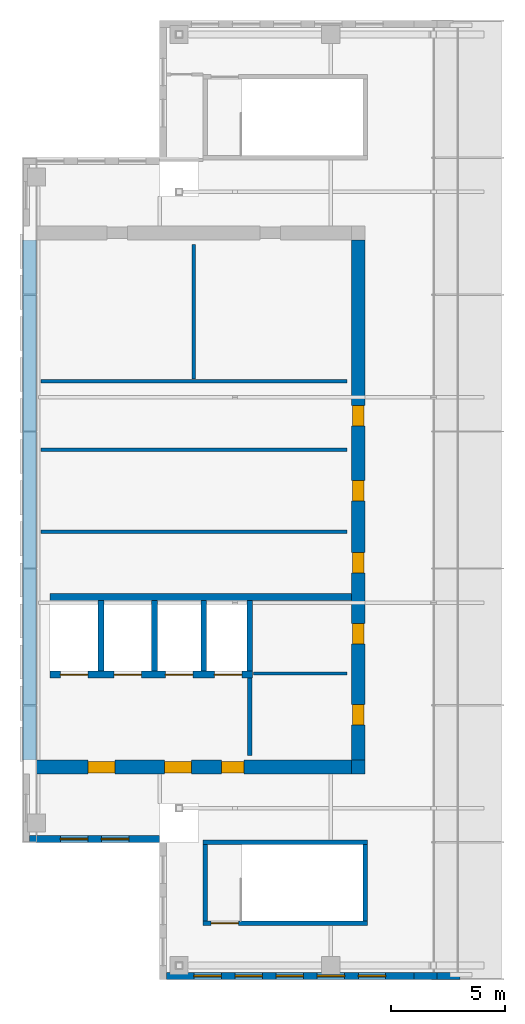
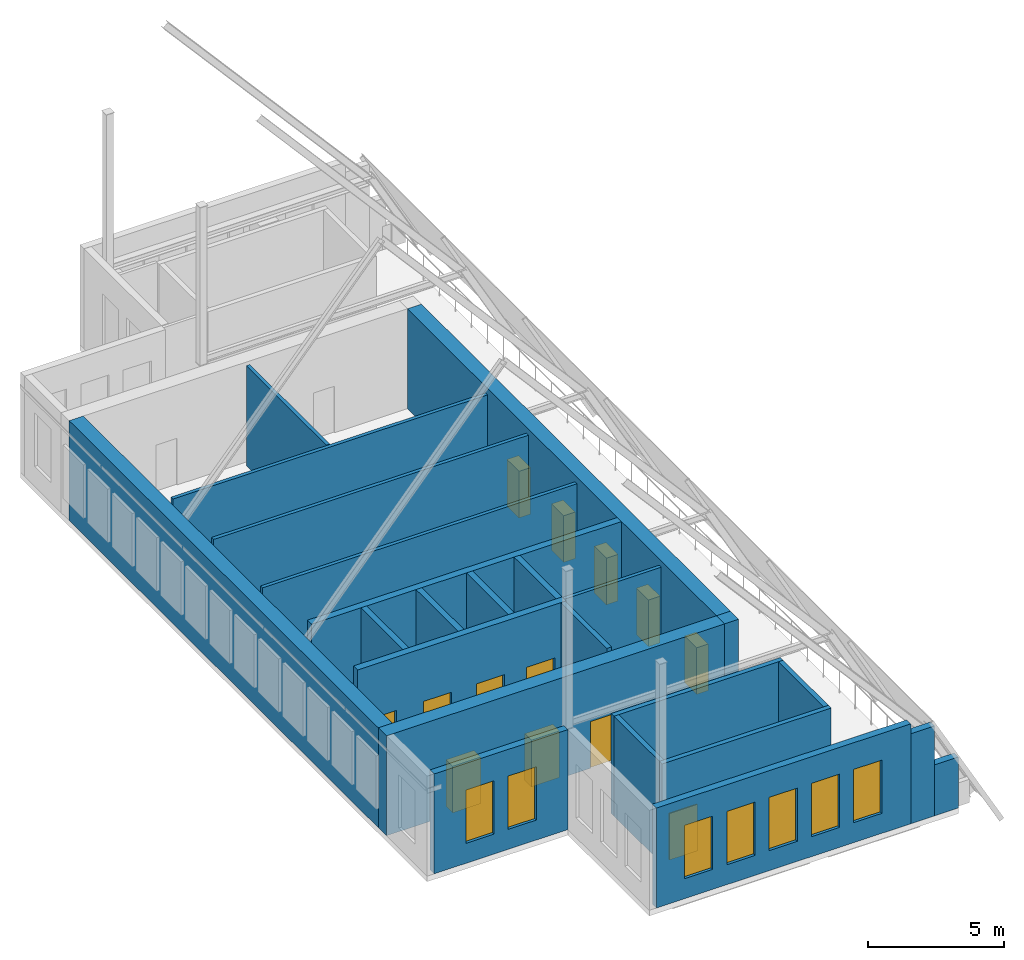
# One storey, part 2 of 4: 24 walls, 13 doors, 7 windows, 20 openings.
"""IFC4 building model written with IfcOpenShell, lengths in metres."""

from ifc_helpers import new_model, si_unit, direction, frame, frame_2d, origin, place, context, subcontext, project, spatial, rectangle, extrude, source, transform, mapped, material, layer, layer_set, type_object, element, fill, save


model = new_model("IFC4")

# Units and contexts
model_context = context("Model", 3, precision=1e-05, world=origin(), true_north=direction((0.0, 1.0)))
body_context = subcontext(model_context, "Body", "Model", "MODEL_VIEW")
ifc_project = project(units=[si_unit("LENGTHUNIT", "METRE"), si_unit("AREAUNIT", "SQUARE_METRE"), si_unit("VOLUMEUNIT", "CUBIC_METRE"), si_unit("PLANEANGLEUNIT", "RADIAN"), si_unit("MASSUNIT", "GRAM", prefix="KILO")], contexts=[model_context])

# Site, building, storey
site_placement = place(None, origin())
site = spatial("IfcSite", under=ifc_project, at=site_placement, CompositionType="ELEMENT")
building_placement = place(site_placement, origin())
building = spatial("IfcBuilding", under=site, at=building_placement, Name="Khomas Fold Tower", CompositionType="ELEMENT")
storey_placement = place(building_placement, frame((0.0, 0.0, 352.699951171875)))
storey = spatial("IfcBuildingStorey", under=building, at=storey_placement, Name="C6", CompositionType="ELEMENT", Elevation=352.699951171875)

# Wall, openings, doors
ifc_material_1 = material(Name="Concrete C50/60", Category="concrete")
ifc_layer_1 = layer(ifc_material_1, 0.60009765625)
ifc_layer_set_1 = layer_set([ifc_layer_1], Name="Concrete C50/60")
wall_type_1 = type_object("IfcWallType", Name="Core wall 600", PredefinedType="SHEAR", material=ifc_layer_set_1)
shared_shape_1 = source(origin(), body_context, "Body", "SweptSolid", [
    extrude(rectangle(XDim=14.39990234375, YDim=0.60009765625, at=frame_2d((7.199951171875, 0.0))), origin(), (0.0, 0.0, 1.0), 4.5),
])
wall_1_placement = place(storey_placement, frame((6.0, 15.300048828125, 0.0), z_axis=(0.0, 0.0, 1.0), x_axis=(1.0, 0.0, 0.0)))
wall_1 = element("IfcWall", 1, at=wall_1_placement, inside=storey, type_object=wall_type_1, Name="Core wall CW-U-S-L63", PredefinedType="SHEAR", context=body_context, shape_type="MappedRepresentation", body=[
    mapped(shared_shape_1, transform((0.0, 0.0, 0.0))),
])
shared_shape_2 = source(origin(), body_context, "Body", "SweptSolid", [
    extrude(rectangle(XDim=1.199951171875, YDim=2.10009765625, at=frame_2d((0.60009765625, 1.050048828125))), frame((0.0, 0.31005859375, 0.0), z_axis=(0.0, -1.0, 0.0), x_axis=(1.0, 0.0, 0.0)), (0.0, 0.0, 1.0), 0.6201171875),
])
opening_1_placement = place(wall_1_placement, frame((6.199951171875, 0.0, 0.0)))
opening_1 = element("IfcOpeningElement", 2, at=opening_1_placement, cuts=wall_1, Name="Opening 0009", PredefinedType="OPENING", context=body_context, shape_type="MappedRepresentation", body=[
    mapped(shared_shape_2, transform((0.0, 0.0, 0.0))),
])
opening_2_placement = place(wall_1_placement, frame((2.85009765625, 0.0, 0.0)))
opening_2 = element("IfcOpeningElement", 3, at=opening_2_placement, cuts=wall_1, Name="Opening 0009", PredefinedType="OPENING", context=body_context, shape_type="MappedRepresentation", body=[
    mapped(shared_shape_2, transform((0.0, 0.0, 0.0))),
])
shared_shape_3 = source(origin(), body_context, "Body", "SweptSolid", [
    extrude(rectangle(XDim=1.0, YDim=2.10009765625, at=frame_2d((0.5, 1.050048828125))), frame((0.0, 0.31005859375, 0.0), z_axis=(0.0, -1.0, 0.0), x_axis=(1.0, 0.0, 0.0)), (0.0, 0.0, 1.0), 0.6201171875),
])
opening_3_placement = place(wall_1_placement, frame((8.699951171875, 0.0, 0.0)))
opening_3 = element("IfcOpeningElement", 4, at=opening_3_placement, cuts=wall_1, Name="Opening 0010", PredefinedType="OPENING", context=body_context, shape_type="MappedRepresentation", body=[
    mapped(shared_shape_3, transform((0.0, 0.0, 0.0))),
])
ifc_material_2 = material(Name="Steel door leaf", Category="steel")
door_type_1 = type_object("IfcDoorType", Name="Stair door 1000x2100 right-hand", OperationType="SINGLE_SWING_RIGHT", PredefinedType="DOOR", material=ifc_material_2)
shared_shape_4 = source(origin(), body_context, "Body", "SweptSolid", [
    extrude(rectangle(XDim=1.0, YDim=2.10009765625, at=frame_2d((0.5, 1.050048828125))), frame((0.0, 0.25, 0.0), z_axis=(0.0, -1.0, 0.0), x_axis=(1.0, 0.0, 0.0)), (0.0, 0.0, 1.0), 0.5),
])
door_1_placement = place(opening_3_placement, origin())
door_1 = element("IfcDoor", 5, at=door_1_placement, inside=storey, type_object=door_type_1, Name="Stair door", OperationType="SINGLE_SWING_RIGHT", OverallHeight=2.10009765625, OverallWidth=1.0, PredefinedType="DOOR", context=body_context, shape_type="MappedRepresentation", body=[
    mapped(shared_shape_4, transform((0.0, 0.0, 0.0))),
])
fill(opening_3, door_1)
ifc_material_3 = material(Name="Steel door leaf", Category="steel")
door_type_2 = type_object("IfcDoorType", Name="Lobby door 1200x2100 right-hand", OperationType="SINGLE_SWING_RIGHT", PredefinedType="DOOR", material=ifc_material_3)
shared_shape_5 = source(origin(), body_context, "Body", "SweptSolid", [
    extrude(rectangle(XDim=1.199951171875, YDim=2.10009765625, at=frame_2d((0.60009765625, 1.050048828125))), frame((0.0, 0.25, 0.0), z_axis=(0.0, -1.0, 0.0), x_axis=(1.0, 0.0, 0.0)), (0.0, 0.0, 1.0), 0.5),
])
door_2_placement = place(opening_1_placement, origin())
door_2 = element("IfcDoor", 6, at=door_2_placement, inside=storey, type_object=door_type_2, Name="Lobby door", OperationType="SINGLE_SWING_RIGHT", OverallHeight=2.10009765625, OverallWidth=1.199951171875, PredefinedType="DOOR", context=body_context, shape_type="MappedRepresentation", body=[
    mapped(shared_shape_5, transform((0.0, 0.0, 0.0))),
])
fill(opening_1, door_2)
door_3_placement = place(opening_2_placement, origin())
door_3 = element("IfcDoor", 7, at=door_3_placement, inside=storey, type_object=door_type_2, Name="Lobby door", OperationType="SINGLE_SWING_RIGHT", OverallHeight=2.10009765625, OverallWidth=1.199951171875, PredefinedType="DOOR", context=body_context, shape_type="MappedRepresentation", body=[
    mapped(shared_shape_5, transform((0.0, 0.0, 0.0))),
])
fill(opening_2, door_3)

# Wall
ifc_material_4 = material(Name="Concrete C50/60", Category="concrete")
ifc_layer_2 = layer(ifc_material_4, 0.60009765625)
ifc_layer_set_2 = layer_set([ifc_layer_2], Name="Concrete C50/60")
wall_type_2 = type_object("IfcWallType", Name="Core corner wall 600", PredefinedType="SHEAR", material=ifc_layer_set_2)
shared_shape_6 = source(origin(), body_context, "Body", "SweptSolid", [
    extrude(rectangle(XDim=0.60009765625, YDim=0.60009765625, at=frame_2d((0.300048828125, 0.0))), origin(), (0.0, 0.0, 1.0), 4.5),
])
wall_2_placement = place(storey_placement, frame((20.39990234375, 15.300048828125, 0.0), z_axis=(0.0, 0.0, 1.0), x_axis=(1.0, 0.0, 0.0)))
element("IfcWall", 8, at=wall_2_placement, inside=storey, type_object=wall_type_2, Name="Core wall CW-U-SE-L63", PredefinedType="SHEAR", context=body_context, shape_type="MappedRepresentation", body=[
    mapped(shared_shape_6, transform((0.0, 0.0, 0.0))),
])

# Wall, openings, doors
shared_shape_7 = source(origin(), body_context, "Body", "SweptSolid", [
    extrude(rectangle(XDim=22.7998046875, YDim=0.60009765625, at=frame_2d((11.39990234375, 0.0))), origin(), (0.0, 0.0, 1.0), 4.5),
])
wall_3_placement = place(storey_placement, frame((20.699951171875, 15.60009765625, 0.0), z_axis=(0.0, 0.0, 1.0), x_axis=(0.0, 1.0, 0.0)))
wall_3 = element("IfcWall", 9, at=wall_3_placement, inside=storey, type_object=wall_type_1, Name="Core wall CW-U-E-L63", PredefinedType="SHEAR", context=body_context, shape_type="MappedRepresentation", body=[
    mapped(shared_shape_7, transform((0.0, 0.0, 0.0))),
])
shared_shape_8 = source(origin(), body_context, "Body", "SweptSolid", [
    extrude(rectangle(XDim=0.89990234375, YDim=2.10009765625, at=frame_2d((0.449951171875, 1.050048828125))), frame((0.0, 0.31005859375, 0.0), z_axis=(0.0, -1.0, 0.0), x_axis=(1.0, 0.0, 0.0)), (0.0, 0.0, 1.0), 0.6201171875),
])
opening_4_placement = place(wall_3_placement, frame((8.199951171875, 0.0, 0.0)))
opening_4 = element("IfcOpeningElement", 10, at=opening_4_placement, cuts=wall_3, Name="Opening 0003", PredefinedType="OPENING", context=body_context, shape_type="MappedRepresentation", body=[
    mapped(shared_shape_8, transform((0.0, 0.0, 0.0))),
])
opening_5_placement = place(wall_3_placement, frame((11.35009765625, 0.0, 0.0)))
opening_5 = element("IfcOpeningElement", 11, at=opening_5_placement, cuts=wall_3, Name="Opening 0003", PredefinedType="OPENING", context=body_context, shape_type="MappedRepresentation", body=[
    mapped(shared_shape_8, transform((0.0, 0.0, 0.0))),
])
opening_6_placement = place(wall_3_placement, frame((14.64990234375, 0.0, 0.0)))
opening_6 = element("IfcOpeningElement", 12, at=opening_6_placement, cuts=wall_3, Name="Opening 0003", PredefinedType="OPENING", context=body_context, shape_type="MappedRepresentation", body=[
    mapped(shared_shape_8, transform((0.0, 0.0, 0.0))),
])
opening_7_placement = place(wall_3_placement, frame((1.550048828125, 0.0, 0.0)))
opening_7 = element("IfcOpeningElement", 13, at=opening_7_placement, cuts=wall_3, Name="Opening 0004", PredefinedType="OPENING", context=body_context, shape_type="MappedRepresentation", body=[
    mapped(shared_shape_8, transform((0.0, 0.0, 0.0))),
])
opening_8_placement = place(wall_3_placement, frame((5.10009765625, 0.0, 0.0)))
opening_8 = element("IfcOpeningElement", 14, at=opening_8_placement, cuts=wall_3, Name="Opening 0003", PredefinedType="OPENING", context=body_context, shape_type="MappedRepresentation", body=[
    mapped(shared_shape_8, transform((0.0, 0.0, 0.0))),
])
ifc_material_5 = material(Name="Steel door leaf", Category="steel")
door_type_3 = type_object("IfcDoorType", Name="Plant room door 900x2100 right-hand", OperationType="SINGLE_SWING_RIGHT", PredefinedType="DOOR", material=ifc_material_5)
shared_shape_9 = source(origin(), body_context, "Body", "SweptSolid", [
    extrude(rectangle(XDim=0.89990234375, YDim=2.10009765625, at=frame_2d((0.449951171875, 1.050048828125))), frame((0.0, 0.25, 0.0), z_axis=(0.0, -1.0, 0.0), x_axis=(1.0, 0.0, 0.0)), (0.0, 0.0, 1.0), 0.5),
])
door_4_placement = place(opening_4_placement, origin())
door_4 = element("IfcDoor", 15, at=door_4_placement, inside=storey, type_object=door_type_3, Name="Plant room door", OperationType="SINGLE_SWING_RIGHT", OverallHeight=2.10009765625, OverallWidth=0.89990234375, PredefinedType="DOOR", context=body_context, shape_type="MappedRepresentation", body=[
    mapped(shared_shape_9, transform((0.0, 0.0, 0.0))),
])
fill(opening_4, door_4)
door_5_placement = place(opening_5_placement, origin())
door_5 = element("IfcDoor", 16, at=door_5_placement, inside=storey, type_object=door_type_3, Name="Plant room door", OperationType="SINGLE_SWING_RIGHT", OverallHeight=2.10009765625, OverallWidth=0.89990234375, PredefinedType="DOOR", context=body_context, shape_type="MappedRepresentation", body=[
    mapped(shared_shape_9, transform((0.0, 0.0, 0.0))),
])
fill(opening_5, door_5)
door_6_placement = place(opening_6_placement, origin())
door_6 = element("IfcDoor", 17, at=door_6_placement, inside=storey, type_object=door_type_3, Name="Plant room door", OperationType="SINGLE_SWING_RIGHT", OverallHeight=2.10009765625, OverallWidth=0.89990234375, PredefinedType="DOOR", context=body_context, shape_type="MappedRepresentation", body=[
    mapped(shared_shape_9, transform((0.0, 0.0, 0.0))),
])
fill(opening_6, door_6)
ifc_material_6 = material(Name="Timber door leaf", Category="wood")
door_type_4 = type_object("IfcDoorType", Name="WC door 900x2100 right-hand", OperationType="SINGLE_SWING_RIGHT", PredefinedType="DOOR", material=ifc_material_6)
door_7_placement = place(opening_7_placement, origin())
door_7 = element("IfcDoor", 18, at=door_7_placement, inside=storey, type_object=door_type_4, Name="WC door", OperationType="SINGLE_SWING_RIGHT", OverallHeight=2.10009765625, OverallWidth=0.89990234375, PredefinedType="DOOR", context=body_context, shape_type="MappedRepresentation", body=[
    mapped(shared_shape_9, transform((0.0, 0.0, 0.0))),
])
fill(opening_7, door_7)
door_8_placement = place(opening_8_placement, origin())
door_8 = element("IfcDoor", 19, at=door_8_placement, inside=storey, type_object=door_type_3, Name="Plant room door", OperationType="SINGLE_SWING_RIGHT", OverallHeight=2.10009765625, OverallWidth=0.89990234375, PredefinedType="DOOR", context=body_context, shape_type="MappedRepresentation", body=[
    mapped(shared_shape_9, transform((0.0, 0.0, 0.0))),
])
fill(opening_8, door_8)

# Walls
wall_4_placement = place(storey_placement, frame((6.300048828125, 15.60009765625, 0.0), z_axis=(0.0, 0.0, 1.0), x_axis=(0.0, 1.0, 0.0)))
element("IfcWall", 20, at=wall_4_placement, inside=storey, type_object=wall_type_1, Name="Core wall CW-U-W-L63", PredefinedType="SHEAR", context=body_context, shape_type="MappedRepresentation", body=[
    mapped(shared_shape_7, transform((0.0, 0.0, 0.0))),
])
ifc_material_7 = material(Name="Concrete C50/60", Category="concrete")
ifc_layer_3 = layer(ifc_material_7, 0.199951171875)
ifc_layer_set_3 = layer_set([ifc_layer_3], Name="Concrete C50/60")
wall_type_3 = type_object("IfcWallType", Name="Stair wall 200", PredefinedType="SHEAR", material=ifc_layer_set_3)
shared_shape_10 = source(origin(), body_context, "Body", "SweptSolid", [
    extrude(rectangle(XDim=7.2001953125, YDim=0.199951171875, at=frame_2d((3.60009765625, 0.0))), origin(), (0.0, 0.0, 1.0), 4.5),
])
wall_5_placement = place(storey_placement, frame((13.89990234375, 12.0, 0.0), z_axis=(0.0, 0.0, 1.0), x_axis=(1.0, 0.0, 0.0)))
element("IfcWall", 21, at=wall_5_placement, inside=storey, type_object=wall_type_3, Name="Stair wall SW-ST2-NH", PredefinedType="SHEAR", context=body_context, shape_type="MappedRepresentation", body=[
    mapped(shared_shape_10, transform((0.0, 0.0, 0.0))),
])

# Wall, opening, door
wall_6_placement = place(storey_placement, frame((13.89990234375, 8.449951171875, 0.0), z_axis=(0.0, 0.0, 1.0), x_axis=(1.0, 0.0, 0.0)))
wall_6 = element("IfcWall", 22, at=wall_6_placement, inside=storey, type_object=wall_type_3, Name="Stair wall SW-ST2-S", PredefinedType="SHEAR", context=body_context, shape_type="MappedRepresentation", body=[
    mapped(shared_shape_10, transform((0.0, 0.0, 0.0))),
])
shared_shape_11 = source(origin(), body_context, "Body", "SweptSolid", [
    extrude(rectangle(XDim=1.199951171875, YDim=2.10009765625, at=frame_2d((0.60009765625, 1.050048828125))), frame((0.0, 0.10986328125, 0.0), z_axis=(0.0, -1.0, 0.0), x_axis=(1.0, 0.0, 0.0)), (0.0, 0.0, 1.0), 0.219970703125),
])
opening_9_placement = place(wall_6_placement, frame((0.35009765625, 0.0, 0.0)))
opening_9 = element("IfcOpeningElement", 23, at=opening_9_placement, cuts=wall_6, Name="Opening SD-ST2", PredefinedType="OPENING", context=body_context, shape_type="MappedRepresentation", body=[
    mapped(shared_shape_11, transform((0.0, 0.0, 0.0))),
])
ifc_material_8 = material(Name="Steel door leaf", Category="steel")
door_type_5 = type_object("IfcDoorType", Name="Stair door 1200x2100 right-hand", OperationType="SINGLE_SWING_RIGHT", PredefinedType="DOOR", material=ifc_material_8)
shared_shape_12 = source(origin(), body_context, "Body", "SweptSolid", [
    extrude(rectangle(XDim=1.199951171875, YDim=2.10009765625, at=frame_2d((0.60009765625, 1.050048828125))), frame((0.0, 0.02490234375, 0.0), z_axis=(0.0, -1.0, 0.0), x_axis=(1.0, 0.0, 0.0)), (0.0, 0.0, 1.0), 0.050048828125),
])
door_9_placement = place(opening_9_placement, origin())
door_9 = element("IfcDoor", 24, at=door_9_placement, inside=storey, type_object=door_type_5, Name="Stair door", OperationType="SINGLE_SWING_RIGHT", OverallHeight=2.10009765625, OverallWidth=1.199951171875, PredefinedType="DOOR", context=body_context, shape_type="MappedRepresentation", body=[
    mapped(shared_shape_12, transform((0.0, 0.0, 0.0))),
])
fill(opening_9, door_9)

# Walls
shared_shape_13 = source(origin(), body_context, "Body", "SweptSolid", [
    extrude(rectangle(XDim=3.349853515625, YDim=0.199951171875, at=frame_2d((1.6748046875, 0.0))), origin(), (0.0, 0.0, 1.0), 4.5),
])
for number, where, z_axis, x_axis, name in (
    (25, (21.0, 8.550048828125, 0.0), (0.0, 0.0, 1.0), (0.0, 1.0, 0.0), "Stair wall SW-ST2-E"),
    (26, (14.0, 8.550048828125, 0.0), (0.0, 0.0, 1.0), (0.0, 1.0, 0.0), "Stair wall SW-ST2-W"),
):
    element("IfcWall", number, at=place(storey_placement, frame(where, z_axis=z_axis, x_axis=x_axis)), inside=storey, type_object=wall_type_3, Name=name, PredefinedType="SHEAR", context=body_context, shape_type="MappedRepresentation", body=[
        mapped(shared_shape_13, transform((0.0, 0.0, 0.0))),
    ])
ifc_material_9 = material(Name="Concrete C50/60", Category="concrete")
ifc_layer_4 = layer(ifc_material_9, 0.300048828125)
ifc_layer_set_4 = layer_set([ifc_layer_4], Name="Concrete C50/60")
wall_type_4 = type_object("IfcWallType", Name="Shaft wall 300", PredefinedType="STANDARD", material=ifc_layer_set_4)
shared_shape_14 = source(origin(), body_context, "Body", "SweptSolid", [
    extrude(rectangle(XDim=13.199951171875, YDim=0.300048828125, at=frame_2d((6.60009765625, 0.0))), origin(), (0.0, 0.0, 1.0), 4.5),
])
wall_7_placement = place(storey_placement, frame((7.199951171875, 22.75, 0.0), z_axis=(0.0, 0.0, 1.0), x_axis=(1.0, 0.0, 0.0)))
element("IfcWall", 27, at=wall_7_placement, inside=storey, type_object=wall_type_4, Name="Core wall SW-FS-B", PredefinedType="STANDARD", context=body_context, shape_type="MappedRepresentation", body=[
    mapped(shared_shape_14, transform((0.0, 0.0, 0.0))),
])

# Wall, openings, doors
shared_shape_15 = source(origin(), body_context, "Body", "SweptSolid", [
    extrude(rectangle(XDim=8.875, YDim=0.300048828125, at=frame_2d((4.4375, 0.0))), origin(), (0.0, 0.0, 1.0), 4.5),
])
wall_8_placement = place(storey_placement, frame((7.199951171875, 19.35009765625, 0.0), z_axis=(0.0, 0.0, 1.0), x_axis=(1.0, 0.0, 0.0)))
wall_8 = element("IfcWall", 28, at=wall_8_placement, inside=storey, type_object=wall_type_4, Name="Core wall SW-FS-F", PredefinedType="STANDARD", context=body_context, shape_type="MappedRepresentation", body=[
    mapped(shared_shape_15, transform((0.0, 0.0, 0.0))),
])
shared_shape_16 = source(origin(), body_context, "Body", "SweptSolid", [
    extrude(rectangle(XDim=1.199951171875, YDim=2.10009765625, at=frame_2d((0.60009765625, 1.050048828125))), frame((0.0, 0.159912109375, 0.0), z_axis=(0.0, -1.0, 0.0), x_axis=(1.0, 0.0, 0.0)), (0.0, 0.0, 1.0), 0.320068359375),
])
opening_10_placement = place(wall_8_placement, frame((0.449951171875, 0.0, 0.0)))
opening_10 = element("IfcOpeningElement", 29, at=opening_10_placement, cuts=wall_8, Name="Opening LD-SV1", PredefinedType="OPENING", context=body_context, shape_type="MappedRepresentation", body=[
    mapped(shared_shape_16, transform((0.0, 0.0, 0.0))),
])
opening_11_placement = place(wall_8_placement, frame((2.800048828125, 0.0, 0.0)))
opening_11 = element("IfcOpeningElement", 30, at=opening_11_placement, cuts=wall_8, Name="Opening LD-SV2", PredefinedType="OPENING", context=body_context, shape_type="MappedRepresentation", body=[
    mapped(shared_shape_16, transform((0.0, 0.0, 0.0))),
])
opening_12_placement = place(wall_8_placement, frame((5.050048828125, 0.0, 0.0)))
opening_12 = element("IfcOpeningElement", 31, at=opening_12_placement, cuts=wall_8, Name="Opening LD-FF1", PredefinedType="OPENING", context=body_context, shape_type="MappedRepresentation", body=[
    mapped(shared_shape_16, transform((0.0, 0.0, 0.0))),
])
opening_13_placement = place(wall_8_placement, frame((7.199951171875, 0.0, 0.0)))
opening_13 = element("IfcOpeningElement", 32, at=opening_13_placement, cuts=wall_8, Name="Opening LD-FF2", PredefinedType="OPENING", context=body_context, shape_type="MappedRepresentation", body=[
    mapped(shared_shape_16, transform((0.0, 0.0, 0.0))),
])
ifc_material_10 = material(Name="Steel door leaf", Category="steel")
door_type_6 = type_object("IfcDoorType", Name="Landing door 1200x2100", OperationType="DOUBLE_DOOR_SLIDING", PredefinedType="DOOR", material=ifc_material_10)
door_10_placement = place(opening_10_placement, origin())
door_10 = element("IfcDoor", 33, at=door_10_placement, inside=storey, type_object=door_type_6, Name="Lift landing door", OperationType="DOUBLE_DOOR_SLIDING", OverallHeight=2.10009765625, OverallWidth=1.199951171875, PredefinedType="DOOR", context=body_context, shape_type="MappedRepresentation", body=[
    mapped(shared_shape_12, transform((0.0, 0.0, 0.0))),
])
fill(opening_10, door_10)
door_11_placement = place(opening_11_placement, origin())
door_11 = element("IfcDoor", 34, at=door_11_placement, inside=storey, type_object=door_type_6, Name="Lift landing door", OperationType="DOUBLE_DOOR_SLIDING", OverallHeight=2.10009765625, OverallWidth=1.199951171875, PredefinedType="DOOR", context=body_context, shape_type="MappedRepresentation", body=[
    mapped(shared_shape_12, transform((0.0, 0.0, 0.0))),
])
fill(opening_11, door_11)
door_12_placement = place(opening_12_placement, origin())
door_12 = element("IfcDoor", 35, at=door_12_placement, inside=storey, type_object=door_type_6, Name="Lift landing door", OperationType="DOUBLE_DOOR_SLIDING", OverallHeight=2.10009765625, OverallWidth=1.199951171875, PredefinedType="DOOR", context=body_context, shape_type="MappedRepresentation", body=[
    mapped(shared_shape_12, transform((0.0, 0.0, 0.0))),
])
fill(opening_12, door_12)
door_13_placement = place(opening_13_placement, origin())
door_13 = element("IfcDoor", 36, at=door_13_placement, inside=storey, type_object=door_type_6, Name="Lift landing door", OperationType="DOUBLE_DOOR_SLIDING", OverallHeight=2.10009765625, OverallWidth=1.199951171875, PredefinedType="DOOR", context=body_context, shape_type="MappedRepresentation", body=[
    mapped(shared_shape_12, transform((0.0, 0.0, 0.0))),
])
fill(opening_13, door_13)

# Walls
ifc_material_11 = material(Name="Concrete C50/60", Category="concrete")
ifc_layer_5 = layer(ifc_material_11, 0.25)
ifc_layer_set_5 = layer_set([ifc_layer_5], Name="Concrete C50/60")
wall_type_5 = type_object("IfcWallType", Name="Shaft wall 250", PredefinedType="STANDARD", material=ifc_layer_set_5)
shared_shape_17 = source(origin(), body_context, "Body", "SweptSolid", [
    extrude(rectangle(XDim=3.10009765625, YDim=0.25, at=frame_2d((1.550048828125, 0.0))), origin(), (0.0, 0.0, 1.0), 4.5),
])
for number, where, z_axis, x_axis, name in (
    (37, (9.425048828125, 19.5, 0.0), (0.0, 0.0, 1.0), (0.0, 1.0, 0.0), "Core wall SW-FS-P1"),
    (38, (11.77490234375, 19.5, 0.0), (0.0, 0.0, 1.0), (0.0, 1.0, 0.0), "Core wall SW-FS-P2"),
    (39, (13.925048828125, 19.5, 0.0), (0.0, 0.0, 1.0), (0.0, 1.0, 0.0), "Core wall SW-FS-P3"),
    (40, (15.949951171875, 19.5, 0.0), (0.0, 0.0, 1.0), (0.0, 1.0, 0.0), "Core wall SW-FS-PE"),
):
    element("IfcWall", number, at=place(storey_placement, frame(where, z_axis=z_axis, x_axis=x_axis)), inside=storey, type_object=wall_type_5, Name=name, PredefinedType="STANDARD", context=body_context, shape_type="MappedRepresentation", body=[
        mapped(shared_shape_17, transform((0.0, 0.0, 0.0))),
    ])

# Wall, openings, windows
ifc_material_12 = material(Name="Concrete C40/50", Category="concrete")
ifc_layer_6 = layer(ifc_material_12, 0.300048828125)
ifc_layer_set_6 = layer_set([ifc_layer_6], Name="Concrete C40/50")
wall_type_6 = type_object("IfcWallType", Name="Crown gable wall 300 CR-GW1", PredefinedType="SOLIDWALL", material=ifc_layer_set_6)
shared_shape_18 = source(origin(), body_context, "Body", "SweptSolid", [
    extrude(rectangle(XDim=5.699951171875, YDim=0.300048828125, at=frame_2d((2.85009765625, 0.0))), origin(), (0.0, 0.0, 1.0), 4.5),
])
wall_9_placement = place(storey_placement, frame((6.300048828125, 12.14990234375, 0.0), z_axis=(0.0, 0.0, 1.0), x_axis=(1.0, 0.0, 0.0)))
wall_9 = element("IfcWall", 41, at=wall_9_placement, inside=storey, type_object=wall_type_6, Name="Crown wall", PredefinedType="SOLIDWALL", context=body_context, shape_type="MappedRepresentation", body=[
    mapped(shared_shape_18, transform((0.0, 0.0, 0.0))),
])
shared_shape_19 = source(origin(), body_context, "Body", "SweptSolid", [
    extrude(rectangle(XDim=1.199951171875, YDim=2.39990234375, at=frame_2d((0.60009765625, 1.199951171875))), frame((0.0, 0.159912109375, 0.0), z_axis=(0.0, -1.0, 0.0), x_axis=(1.0, 0.0, 0.0)), (0.0, 0.0, 1.0), 0.320068359375),
])
opening_14_placement = place(wall_9_placement, frame((1.35009765625, 0.0, 0.89990234375)))
opening_14 = element("IfcOpeningElement", 42, at=opening_14_placement, cuts=wall_9, Name="Opening CR-LV", PredefinedType="OPENING", context=body_context, shape_type="MappedRepresentation", body=[
    mapped(shared_shape_19, transform((0.0, 0.0, 0.0))),
])
opening_15_placement = place(wall_9_placement, frame((3.14990234375, 0.0, 0.89990234375)))
opening_15 = element("IfcOpeningElement", 43, at=opening_15_placement, cuts=wall_9, Name="Opening CR-LV", PredefinedType="OPENING", context=body_context, shape_type="MappedRepresentation", body=[
    mapped(shared_shape_19, transform((0.0, 0.0, 0.0))),
])
ifc_material_13 = material(Name="Aluminium louvre", Category="aluminium")
window_type = type_object("IfcWindowType", Name="Crown plant louvre 1200 x 2400", PartitioningType="SINGLE_PANEL", PredefinedType="WINDOW", material=ifc_material_13)
shared_shape_20 = source(origin(), body_context, "Body", "SweptSolid", [
    extrude(rectangle(XDim=1.199951171875, YDim=2.39990234375, at=frame_2d((0.60009765625, 1.199951171875))), frame((0.0, 0.030029296875, 0.0), z_axis=(0.0, -1.0, 0.0), x_axis=(1.0, 0.0, 0.0)), (0.0, 0.0, 1.0), 0.06005859375),
])
window_1_placement = place(opening_14_placement, origin())
window_1 = element("IfcWindow", 44, at=window_1_placement, inside=storey, type_object=window_type, Name="Crown plant louvre", OverallHeight=2.39990234375, OverallWidth=1.199951171875, PartitioningType="SINGLE_PANEL", PredefinedType="WINDOW", context=body_context, shape_type="MappedRepresentation", body=[
    mapped(shared_shape_20, transform((0.0, 0.0, 0.0))),
])
fill(opening_14, window_1)
window_2_placement = place(opening_15_placement, origin())
window_2 = element("IfcWindow", 45, at=window_2_placement, inside=storey, type_object=window_type, Name="Crown plant louvre", OverallHeight=2.39990234375, OverallWidth=1.199951171875, PartitioningType="SINGLE_PANEL", PredefinedType="WINDOW", context=body_context, shape_type="MappedRepresentation", body=[
    mapped(shared_shape_20, transform((0.0, 0.0, 0.0))),
])
fill(opening_15, window_2)

shared_shape_21 = source(origin(), body_context, "Body", "SweptSolid", [
    extrude(rectangle(XDim=10.83642578125, YDim=0.300048828125, at=frame_2d((5.418212890625, 0.0))), origin(), (0.0, 0.0, 1.0), 4.5),
])
wall_10_placement = place(storey_placement, frame((12.300048828125, 6.14990234375, 0.0), z_axis=(0.0, 0.0, 1.0), x_axis=(1.0, 0.0, 0.0)))
wall_10 = element("IfcWall", 46, at=wall_10_placement, inside=storey, type_object=wall_type_6, Name="Crown wall", PredefinedType="SOLIDWALL", context=body_context, shape_type="MappedRepresentation", body=[
    mapped(shared_shape_21, transform((0.0, 0.0, 0.0))),
])
opening_16_placement = place(wall_10_placement, frame((1.199951171875, 0.0, 0.89990234375)))
opening_16 = element("IfcOpeningElement", 47, at=opening_16_placement, cuts=wall_10, Name="Opening CR-LV", PredefinedType="OPENING", context=body_context, shape_type="MappedRepresentation", body=[
    mapped(shared_shape_19, transform((0.0, 0.0, 0.0))),
])
opening_17_placement = place(wall_10_placement, frame((3.0, 0.0, 0.89990234375)))
opening_17 = element("IfcOpeningElement", 48, at=opening_17_placement, cuts=wall_10, Name="Opening CR-LV", PredefinedType="OPENING", context=body_context, shape_type="MappedRepresentation", body=[
    mapped(shared_shape_19, transform((0.0, 0.0, 0.0))),
])
opening_18_placement = place(wall_10_placement, frame((4.800048828125, 0.0, 0.89990234375)))
opening_18 = element("IfcOpeningElement", 49, at=opening_18_placement, cuts=wall_10, Name="Opening CR-LV", PredefinedType="OPENING", context=body_context, shape_type="MappedRepresentation", body=[
    mapped(shared_shape_19, transform((0.0, 0.0, 0.0))),
])
opening_19_placement = place(wall_10_placement, frame((6.60009765625, 0.0, 0.89990234375)))
opening_19 = element("IfcOpeningElement", 50, at=opening_19_placement, cuts=wall_10, Name="Opening CR-LV", PredefinedType="OPENING", context=body_context, shape_type="MappedRepresentation", body=[
    mapped(shared_shape_19, transform((0.0, 0.0, 0.0))),
])
opening_20_placement = place(wall_10_placement, frame((8.39990234375, 0.0, 0.89990234375)))
opening_20 = element("IfcOpeningElement", 51, at=opening_20_placement, cuts=wall_10, Name="Opening CR-LV", PredefinedType="OPENING", context=body_context, shape_type="MappedRepresentation", body=[
    mapped(shared_shape_19, transform((0.0, 0.0, 0.0))),
])
window_3_placement = place(opening_16_placement, origin())
window_3 = element("IfcWindow", 52, at=window_3_placement, inside=storey, type_object=window_type, Name="Crown plant louvre", OverallHeight=2.39990234375, OverallWidth=1.199951171875, PartitioningType="SINGLE_PANEL", PredefinedType="WINDOW", context=body_context, shape_type="MappedRepresentation", body=[
    mapped(shared_shape_20, transform((0.0, 0.0, 0.0))),
])
fill(opening_16, window_3)
window_4_placement = place(opening_17_placement, origin())
window_4 = element("IfcWindow", 53, at=window_4_placement, inside=storey, type_object=window_type, Name="Crown plant louvre", OverallHeight=2.39990234375, OverallWidth=1.199951171875, PartitioningType="SINGLE_PANEL", PredefinedType="WINDOW", context=body_context, shape_type="MappedRepresentation", body=[
    mapped(shared_shape_20, transform((0.0, 0.0, 0.0))),
])
fill(opening_17, window_4)
window_5_placement = place(opening_18_placement, origin())
window_5 = element("IfcWindow", 54, at=window_5_placement, inside=storey, type_object=window_type, Name="Crown plant louvre", OverallHeight=2.39990234375, OverallWidth=1.199951171875, PartitioningType="SINGLE_PANEL", PredefinedType="WINDOW", context=body_context, shape_type="MappedRepresentation", body=[
    mapped(shared_shape_20, transform((0.0, 0.0, 0.0))),
])
fill(opening_18, window_5)
window_6_placement = place(opening_19_placement, origin())
window_6 = element("IfcWindow", 55, at=window_6_placement, inside=storey, type_object=window_type, Name="Crown plant louvre", OverallHeight=2.39990234375, OverallWidth=1.199951171875, PartitioningType="SINGLE_PANEL", PredefinedType="WINDOW", context=body_context, shape_type="MappedRepresentation", body=[
    mapped(shared_shape_20, transform((0.0, 0.0, 0.0))),
])
fill(opening_19, window_6)
window_7_placement = place(opening_20_placement, origin())
window_7 = element("IfcWindow", 56, at=window_7_placement, inside=storey, type_object=window_type, Name="Crown plant louvre", OverallHeight=2.39990234375, OverallWidth=1.199951171875, PartitioningType="SINGLE_PANEL", PredefinedType="WINDOW", context=body_context, shape_type="MappedRepresentation", body=[
    mapped(shared_shape_20, transform((0.0, 0.0, 0.0))),
])
fill(opening_20, window_7)

# Walls
ifc_material_14 = material(Name="Concrete C40/50", Category="concrete")
ifc_layer_7 = layer(ifc_material_14, 0.300048828125)
ifc_layer_set_7 = layer_set([ifc_layer_7], Name="Concrete C40/50")
wall_type_7 = type_object("IfcWallType", Name="Crown gable wall 300 CR-GW2", PredefinedType="SOLIDWALL", material=ifc_layer_set_7)
shared_shape_22 = source(origin(), body_context, "Body", "SweptSolid", [
    extrude(rectangle(XDim=1.012451171875, YDim=0.300048828125, at=frame_2d((0.50634765625, 0.0))), origin(), (0.0, 0.0, 1.0), 4.050048828125),
])
wall_11_placement = place(storey_placement, frame((23.136474609375, 6.14990234375, 0.0), z_axis=(0.0, 0.0, 1.0), x_axis=(1.0, 0.0, 0.0)))
element("IfcWall", 57, at=wall_11_placement, inside=storey, type_object=wall_type_7, Name="Crown wall", PredefinedType="SOLIDWALL", context=body_context, shape_type="MappedRepresentation", body=[
    mapped(shared_shape_22, transform((0.0, 0.0, 0.0))),
])
ifc_material_15 = material(Name="Concrete C40/50", Category="concrete")
ifc_layer_8 = layer(ifc_material_15, 0.300048828125)
ifc_layer_set_8 = layer_set([ifc_layer_8], Name="Concrete C40/50")
wall_type_8 = type_object("IfcWallType", Name="Crown gable wall 300 CR-GW3", PredefinedType="SOLIDWALL", material=ifc_layer_set_8)
shared_shape_23 = source(origin(), body_context, "Body", "SweptSolid", [
    extrude(rectangle(XDim=1.012451171875, YDim=0.300048828125, at=frame_2d((0.50634765625, 0.0))), origin(), (0.0, 0.0, 1.0), 2.300048828125),
])
wall_12_placement = place(storey_placement, frame((24.14892578125, 6.14990234375, 0.0), z_axis=(0.0, 0.0, 1.0), x_axis=(1.0, 0.0, 0.0)))
element("IfcWall", 58, at=wall_12_placement, inside=storey, type_object=wall_type_8, Name="Crown wall", PredefinedType="SOLIDWALL", context=body_context, shape_type="MappedRepresentation", body=[
    mapped(shared_shape_23, transform((0.0, 0.0, 0.0))),
])
ifc_material_16 = material(Name="Concrete C30/37", Category="concrete")
ifc_layer_9 = layer(ifc_material_16, 0.199951171875)
ifc_layer_set_9 = layer_set([ifc_layer_9], Name="Concrete C30/37")
wall_type_9 = type_object("IfcWallType", Name="Lobby wall PW4 200", PredefinedType="PARTITIONING", material=ifc_layer_set_9)
shared_shape_24 = source(origin(), body_context, "Body", "SweptSolid", [
    extrude(rectangle(XDim=3.39990234375, YDim=0.199951171875, at=frame_2d((1.699951171875, 0.0))), origin(), (0.0, 0.0, 1.0), 4.5),
])
wall_13_placement = place(storey_placement, frame((15.949951171875, 15.800048828125, 0.0), z_axis=(0.0, 0.0, 1.0), x_axis=(0.0, 1.0, 0.0)))
element("IfcWall", 59, at=wall_13_placement, inside=storey, type_object=wall_type_9, Name="Lobby wall", PredefinedType="PARTITIONING", context=body_context, shape_type="MappedRepresentation", body=[
    mapped(shared_shape_24, transform((0.0, 0.0, 0.0))),
])
ifc_material_17 = material(Name="Plasterboard fire partition")
ifc_layer_10 = layer(ifc_material_17, 0.14990234375)
ifc_layer_set_10 = layer_set([ifc_layer_10], Name="Plasterboard fire partition")
wall_type_10 = type_object("IfcWallType", Name="Plant room wall PW3 150", PredefinedType="PARTITIONING", material=ifc_layer_set_10)
shared_shape_25 = source(origin(), body_context, "Body", "SweptSolid", [
    extrude(rectangle(XDim=4.099853515625, YDim=0.14990234375, at=frame_2d((2.0498046875, 0.0))), origin(), (0.0, 0.0, 1.0), 4.5),
])
wall_14_placement = place(storey_placement, frame((16.10009765625, 19.39990234375, 0.0), z_axis=(0.0, 0.0, 1.0), x_axis=(1.0, 0.0, 0.0)))
element("IfcWall", 60, at=wall_14_placement, inside=storey, type_object=wall_type_10, Name="Plant room wall", PredefinedType="PARTITIONING", context=body_context, shape_type="MappedRepresentation", body=[
    mapped(shared_shape_25, transform((0.0, 0.0, 0.0))),
])
shared_shape_26 = source(origin(), body_context, "Body", "SweptSolid", [
    extrude(rectangle(XDim=13.39990234375, YDim=0.14990234375, at=frame_2d((6.699951171875, 0.0))), origin(), (0.0, 0.0, 1.0), 4.5),
])
for number, where, z_axis, x_axis, name in (
    (61, (6.800048828125, 25.60009765625, 0.0), (0.0, 0.0, 1.0), (1.0, 0.0, 0.0), "Plant room wall"),
    (62, (6.800048828125, 29.199951171875, 0.0), (0.0, 0.0, 1.0), (1.0, 0.0, 0.0), "Plant room wall"),
    (63, (6.800048828125, 32.199951171875, 0.0), (0.0, 0.0, 1.0), (1.0, 0.0, 0.0), "Plant room wall"),
):
    element("IfcWall", number, at=place(storey_placement, frame(where, z_axis=z_axis, x_axis=x_axis)), inside=storey, type_object=wall_type_10, Name=name, PredefinedType="PARTITIONING", context=body_context, shape_type="MappedRepresentation", body=[
        mapped(shared_shape_26, transform((0.0, 0.0, 0.0))),
    ])
shared_shape_27 = source(origin(), body_context, "Body", "SweptSolid", [
    extrude(rectangle(XDim=5.89990234375, YDim=0.14990234375, at=frame_2d((2.949951171875, 0.0))), origin(), (0.0, 0.0, 1.0), 4.5),
])
wall_15_placement = place(storey_placement, frame((13.5, 32.300048828125, 0.0), z_axis=(0.0, 0.0, 1.0), x_axis=(0.0, 1.0, 0.0)))
element("IfcWall", 64, at=wall_15_placement, inside=storey, type_object=wall_type_10, Name="Plant room wall", PredefinedType="PARTITIONING", context=body_context, shape_type="MappedRepresentation", body=[
    mapped(shared_shape_27, transform((0.0, 0.0, 0.0))),
])

save(model, "model.ifc")
